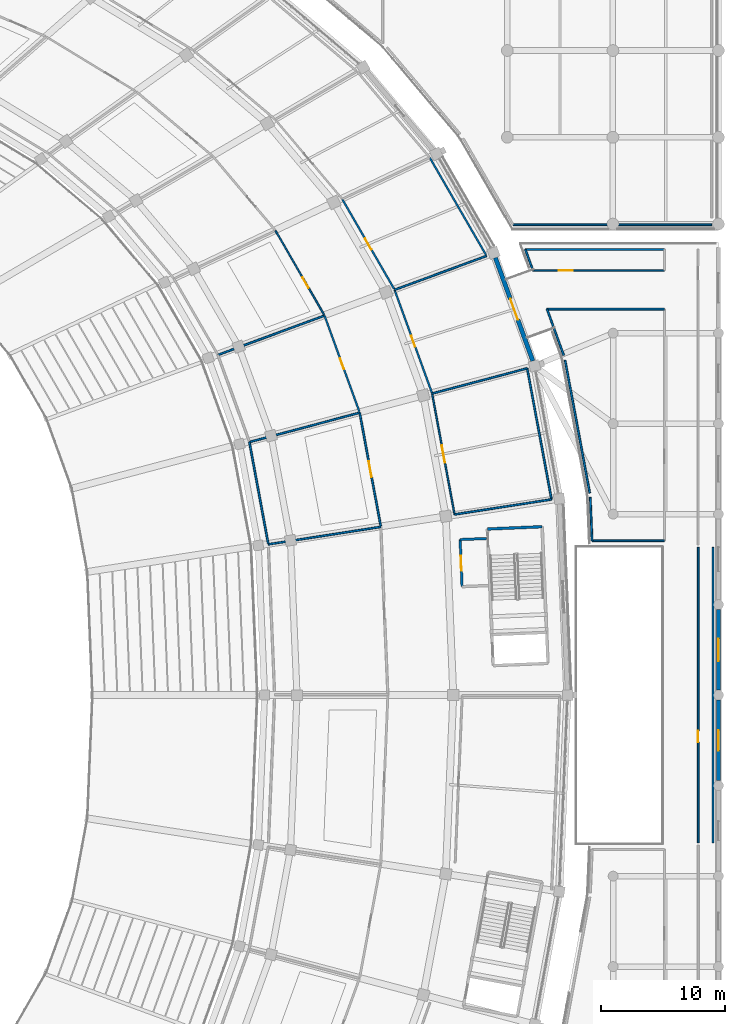
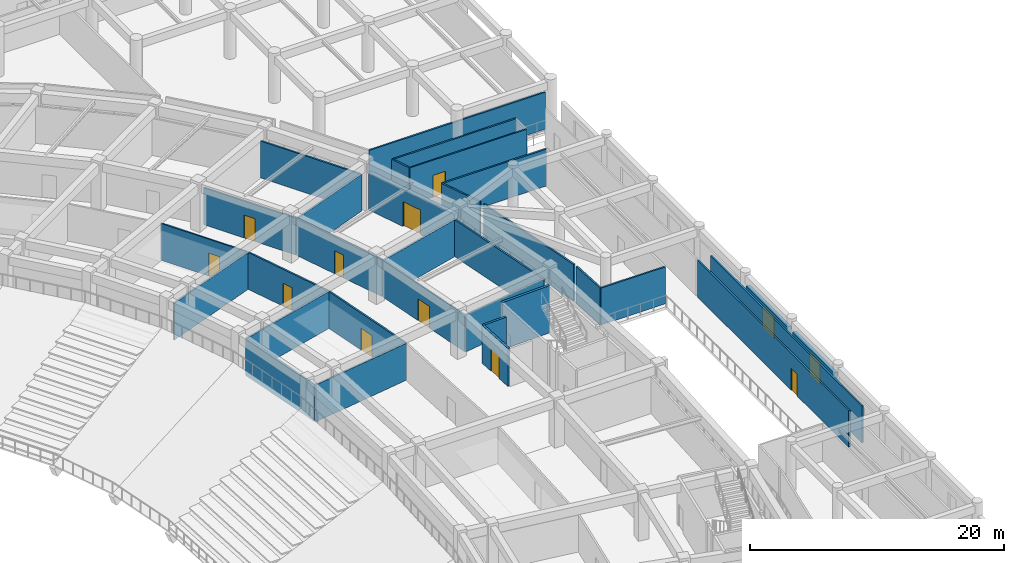
# One storey, part 107 of 152: 32 walls, 10 doors, 2 windows, 12 openings.
"""IFC4 building model written with IfcOpenShell, lengths in metres."""

from ifc_helpers import new_model, si_unit, direction, frame, frame_2d, origin, place, context, subcontext, project, spatial, rectangle, extrude, material, layer, layer_set, type_object, element, fill, save


model = new_model("IFC4")

# Units and contexts
model_context = context("Model", 3, precision=1e-05, world=origin(), true_north=direction((0.0, 1.0)))
body_context = subcontext(model_context, "Body", "Model", "MODEL_VIEW")
ifc_project = project(units=[si_unit("LENGTHUNIT", "METRE"), si_unit("AREAUNIT", "SQUARE_METRE"), si_unit("VOLUMEUNIT", "CUBIC_METRE"), si_unit("PLANEANGLEUNIT", "RADIAN"), si_unit("MASSUNIT", "GRAM", prefix="KILO")], contexts=[model_context])

# Site, building, storey
site_placement = place(None, origin())
site = spatial("IfcSite", under=ifc_project, at=site_placement, CompositionType="ELEMENT")
building_placement = place(site_placement, origin())
building = spatial("IfcBuilding", under=site, at=building_placement, Name="Mphavela Belvedere Stadium", CompositionType="ELEMENT")
storey_placement = place(building_placement, frame((0.0, 0.0, 5.39990234375)))
storey = spatial("IfcBuildingStorey", under=building, at=storey_placement, Name="L01", CompositionType="ELEMENT", Elevation=5.39990234375)

# Wall
ifc_material_1 = material(Name="Concrete C40/50", Category="concrete")
ifc_layer_1 = layer(ifc_material_1, 0.219970703125)
ifc_layer_set_1 = layer_set([ifc_layer_1], Name="Concrete C40/50")
wall_type_1 = type_object("IfcWallType", Name="WAL-CORE-SHEAR-220", PredefinedType="SHEAR", material=ifc_layer_set_1)
wall_1_placement = place(storey_placement, frame((211.365478515625, 100.400390625, 0.0), z_axis=(0.0, 0.0, 1.0), x_axis=(0.999121521721, 0.041906859039, 0.0)))
element("IfcWall", 1, at=wall_1_placement, inside=storey, type_object=wall_type_1, Name="Core C01 shear wall L01 left", PredefinedType="SHEAR", context=body_context, shape_type="SweptSolid", body=[
    extrude(rectangle(XDim=4.41015625, YDim=0.219970703125, at=frame_2d((2.205078125, 0.0))), origin(), (0.0, 0.0, 1.0), 4.550048828125),
])

# Wall, opening, door
ifc_material_2 = material(Name="Honed ashlar limestone masonry", Category="masonry")
ifc_layer_2 = layer(ifc_material_2, 0.35009765625)
ifc_layer_set_2 = layer_set([ifc_layer_2], Name="Honed ashlar limestone masonry")
wall_type_2 = type_object("IfcWallType", Name="WAL-EXT-ASHLAR-350", PredefinedType="STANDARD", material=ifc_layer_set_2)
wall_2_placement = place(storey_placement, frame((212.00048828125, 122.28466796875, 0.0), z_axis=(0.0, 0.0, 1.0), x_axis=(0.341014666885, -0.940057975324, 0.0)))
wall_2 = element("IfcWall", 2, at=wall_2_placement, inside=storey, type_object=wall_type_2, Name="Classical link portal wall L01-03", PredefinedType="STANDARD", context=body_context, shape_type="SweptSolid", body=[
    extrude(rectangle(XDim=8.855224609375, YDim=0.35009765625, at=frame_2d((4.427734375, 0.0))), origin(), (0.0, 0.0, 1.0), 3.570068359375),
])
opening_1_placement = place(wall_2_placement, frame((3.527587890625, 0.0, 0.0)))
opening_1 = element("IfcOpeningElement", 3, at=opening_1_placement, cuts=wall_2, Name="Opening ID-9102", PredefinedType="OPENING", context=body_context, shape_type="SweptSolid", body=[
    extrude(rectangle(XDim=1.800048828125, YDim=2.39990234375, at=frame_2d((0.89990234375, 1.199951171875))), frame((0.0, 0.18505859375, 0.0), z_axis=(0.0, -1.0, 0.0), x_axis=(1.0, 0.0, 0.0)), (0.0, 0.0, 1.0), 0.3701171875),
])
ifc_material_3 = material(Name="Glazed bronze-anodised steel exit doorset", Category="steel")
door_type_1 = type_object("IfcDoorType", Name="DR-EXT-01", OperationType="NOTDEFINED", PredefinedType="DOOR", material=ifc_material_3)
door_1_placement = place(opening_1_placement, origin())
door_1 = element("IfcDoor", 4, at=door_1_placement, inside=storey, type_object=door_type_1, Name="Wing promenade link doorset L01-03", OperationType="DOUBLE_DOOR_SINGLE_SWING", OverallHeight=2.39990234375, OverallWidth=1.800048828125, PredefinedType="DOOR", context=body_context, shape_type="SweptSolid", body=[
    extrude(rectangle(XDim=1.800048828125, YDim=2.39990234375, at=frame_2d((0.89990234375, 1.199951171875))), frame((0.0, 0.02490234375, 0.0), z_axis=(0.0, -1.0, 0.0), x_axis=(1.0, 0.0, 0.0)), (0.0, 0.0, 1.0), 0.050048828125),
])
fill(opening_1, door_1)

# Wall, opening, window
wall_3_placement = place(storey_placement, frame((230.0, 86.60205078125, 0.0), z_axis=(0.0, 0.0, 1.0), x_axis=(0.0, -1.0, 0.0)))
wall_3 = element("IfcWall", 5, at=wall_3_placement, inside=storey, type_object=wall_type_2, Name="East Planted Eaves Peristyle Colonnade outer facade bay L01-05", PredefinedType="STANDARD", context=body_context, shape_type="SweptSolid", body=[
    extrude(rectangle(XDim=6.504150390625, YDim=0.35009765625, at=frame_2d((3.251953125, 0.0))), origin(), (0.0, 0.0, 1.0), 3.56005859375),
])
opening_2_placement = place(wall_3_placement, frame((2.422119140625, 0.0, 0.89990234375)))
opening_2 = element("IfcOpeningElement", 6, at=opening_2_placement, cuts=wall_3, Name="Opening W-302", PredefinedType="OPENING", context=body_context, shape_type="SweptSolid", body=[
    extrude(rectangle(XDim=1.659912109375, YDim=2.14990234375, at=frame_2d((0.830078125, 1.074951171875))), frame((0.0, 0.18505859375, 0.0), z_axis=(0.0, -1.0, 0.0), x_axis=(1.0, 0.0, 0.0)), (0.0, 0.0, 1.0), 0.3701171875),
])
ifc_material_4 = material(Name="Bronze-anodised thermally broken aluminium window", Category="aluminium")
window_type_1 = type_object("IfcWindowType", Name="WIN-EXT-38", PartitioningType="SINGLE_PANEL", PredefinedType="WINDOW", material=ifc_material_4)
window_1_placement = place(opening_2_placement, origin())
window_1 = element("IfcWindow", 7, at=window_1_placement, inside=storey, type_object=window_type_1, Name="East Planted Eaves Peristyle Colonnade classical window W-302", OverallHeight=2.14990234375, OverallWidth=1.659912109375, PartitioningType="SINGLE_PANEL", PredefinedType="WINDOW", context=body_context, shape_type="SweptSolid", body=[
    extrude(rectangle(XDim=1.659912109375, YDim=2.14990234375, at=frame_2d((0.830078125, 1.074951171875))), frame((0.0, 0.030029296875, 0.0), z_axis=(0.0, -1.0, 0.0), x_axis=(1.0, 0.0, 0.0)), (0.0, 0.0, 1.0), 0.06005859375),
])
fill(opening_2, window_1)

wall_4_placement = place(storey_placement, frame((230.0, 93.902099609375, 0.0), z_axis=(0.0, 0.0, 1.0), x_axis=(0.0, -1.0, 0.0)))
wall_4 = element("IfcWall", 8, at=wall_4_placement, inside=storey, type_object=wall_type_2, Name="East Planted Eaves Peristyle Colonnade outer facade bay L01-06", PredefinedType="STANDARD", context=body_context, shape_type="SweptSolid", body=[
    extrude(rectangle(XDim=6.504150390625, YDim=0.35009765625, at=frame_2d((3.251953125, 0.0))), origin(), (0.0, 0.0, 1.0), 3.56005859375),
])
opening_3_placement = place(wall_4_placement, frame((2.35205078125, 0.0, 0.89990234375)))
opening_3 = element("IfcOpeningElement", 9, at=opening_3_placement, cuts=wall_4, Name="Opening W-303", PredefinedType="OPENING", context=body_context, shape_type="SweptSolid", body=[
    extrude(rectangle(XDim=1.800048828125, YDim=2.14990234375, at=frame_2d((0.89990234375, 1.074951171875))), frame((0.0, 0.18505859375, 0.0), z_axis=(0.0, -1.0, 0.0), x_axis=(1.0, 0.0, 0.0)), (0.0, 0.0, 1.0), 0.3701171875),
])
ifc_material_5 = material(Name="Bronze-anodised thermally broken aluminium window", Category="aluminium")
window_type_2 = type_object("IfcWindowType", Name="WIN-EXT-39", PartitioningType="SINGLE_PANEL", PredefinedType="WINDOW", material=ifc_material_5)
window_2_placement = place(opening_3_placement, origin())
window_2 = element("IfcWindow", 10, at=window_2_placement, inside=storey, type_object=window_type_2, Name="East Planted Eaves Peristyle Colonnade classical window W-303", OverallHeight=2.14990234375, OverallWidth=1.800048828125, PartitioningType="SINGLE_PANEL", PredefinedType="WINDOW", context=body_context, shape_type="SweptSolid", body=[
    extrude(rectangle(XDim=1.800048828125, YDim=2.14990234375, at=frame_2d((0.89990234375, 1.074951171875))), frame((0.0, 0.030029296875, 0.0), z_axis=(0.0, -1.0, 0.0), x_axis=(1.0, 0.0, 0.0)), (0.0, 0.0, 1.0), 0.06005859375),
])
fill(opening_3, window_2)

# Wall, opening, door
ifc_material_6 = material(Name="Moisture-resistant sanitary partition assembly")
ifc_layer_3 = layer(ifc_material_6, 0.125)
ifc_layer_set_3 = layer_set([ifc_layer_3], Name="Moisture-resistant sanitary partition assembly")
wall_type_3 = type_object("IfcWallType", Name="WAL-PART-125", PredefinedType="PARTITIONING", material=ifc_layer_set_3)
wall_5_placement = place(storey_placement, frame((208.706787109375, 101.5751953125, 0.0), z_axis=(0.0, 0.0, 1.0), x_axis=(-0.182618024057, 0.983183938686, 0.0)))
wall_5 = element("IfcWall", 11, at=wall_5_placement, inside=storey, type_object=wall_type_3, Name="Room L01-37 corridor partition", PredefinedType="PARTITIONING", context=body_context, shape_type="SweptSolid", body=[
    extrude(rectangle(XDim=9.919677734375, YDim=0.125, at=frame_2d((4.9599609375, 0.0))), origin(), (0.0, 0.0, 1.0), 3.550048828125),
])
opening_4_placement = place(wall_5_placement, frame((4.260009765625, 0.0, 0.0)))
opening_4 = element("IfcOpeningElement", 12, at=opening_4_placement, cuts=wall_5, Name="Opening ID-084", PredefinedType="OPENING", context=body_context, shape_type="SweptSolid", body=[
    extrude(rectangle(XDim=1.39990234375, YDim=2.10009765625, at=frame_2d((0.699951171875, 1.050048828125))), frame((0.0, 0.072509765625, 0.0), z_axis=(0.0, -1.0, 0.0), x_axis=(1.0, 0.0, 0.0)), (0.0, 0.0, 1.0), 0.14501953125),
])
ifc_material_7 = material(Name="Hardwood acoustic timber doorset", Category="wood")
door_type_2 = type_object("IfcDoorType", Name="DR-INT-12", OperationType="NOTDEFINED", PredefinedType="DOOR", material=ifc_material_7)
door_2_placement = place(opening_4_placement, origin())
door_2 = element("IfcDoor", 13, at=door_2_placement, inside=storey, type_object=door_type_2, Name="Room L01-37 entrance door ID-084", OperationType="SINGLE_SWING_RIGHT", OverallHeight=2.10009765625, OverallWidth=1.39990234375, PredefinedType="DOOR", context=body_context, shape_type="SweptSolid", body=[
    extrude(rectangle(XDim=1.39990234375, YDim=2.10009765625, at=frame_2d((0.699951171875, 1.050048828125))), frame((0.0, 0.02490234375, 0.0), z_axis=(0.0, -1.0, 0.0), x_axis=(1.0, 0.0, 0.0)), (0.0, 0.0, 1.0), 0.050048828125),
])
fill(opening_4, door_2)

wall_6_placement = place(storey_placement, frame((194.260009765625, 124.47216796875, 0.0), z_axis=(0.0, 0.0, 1.0), x_axis=(0.500584301803, -0.865687794063, 0.0)))
wall_6 = element("IfcWall", 14, at=wall_6_placement, inside=storey, type_object=wall_type_3, Name="Room L01-42 corridor partition", PredefinedType="PARTITIONING", context=body_context, shape_type="SweptSolid", body=[
    extrude(rectangle(XDim=7.8369140625, YDim=0.125, at=frame_2d((3.91845703125, 0.0))), origin(), (0.0, 0.0, 1.0), 3.550048828125),
])
opening_5_placement = place(wall_6_placement, frame((4.361083984375, 0.0, 0.0)))
opening_5 = element("IfcOpeningElement", 15, at=opening_5_placement, cuts=wall_6, Name="Opening ID-087", PredefinedType="OPENING", context=body_context, shape_type="SweptSolid", body=[
    extrude(rectangle(XDim=0.97998046875, YDim=2.199951171875, at=frame_2d((0.489990234375, 1.10009765625))), frame((0.0, 0.072509765625, 0.0), z_axis=(0.0, -1.0, 0.0), x_axis=(1.0, 0.0, 0.0)), (0.0, 0.0, 1.0), 0.14501953125),
])
ifc_material_8 = material(Name="Hardwood acoustic timber doorset", Category="wood")
door_type_3 = type_object("IfcDoorType", Name="DR-INT-15", OperationType="NOTDEFINED", PredefinedType="DOOR", material=ifc_material_8)
door_3_placement = place(opening_5_placement, origin())
door_3 = element("IfcDoor", 16, at=door_3_placement, inside=storey, type_object=door_type_3, Name="Room L01-42 entrance door ID-087", OperationType="SINGLE_SWING_LEFT", OverallHeight=2.199951171875, OverallWidth=0.97998046875, PredefinedType="DOOR", context=body_context, shape_type="SweptSolid", body=[
    extrude(rectangle(XDim=0.97998046875, YDim=2.199951171875, at=frame_2d((0.489990234375, 1.10009765625))), frame((0.0, 0.02490234375, 0.0), z_axis=(0.0, -1.0, 0.0), x_axis=(1.0, 0.0, 0.0)), (0.0, 0.0, 1.0), 0.050048828125),
])
fill(opening_5, door_3)

wall_7_placement = place(storey_placement, frame((225.639892578125, 121.260009765625, 0.0), z_axis=(0.0, 0.0, 1.0), x_axis=(-1.0, 0.0, 0.0)))
wall_7 = element("IfcWall", 17, at=wall_7_placement, inside=storey, type_object=wall_type_3, Name="Room L01-204 corridor partition", PredefinedType="PARTITIONING", context=body_context, shape_type="SweptSolid", body=[
    extrude(rectangle(XDim=10.6083984375, YDim=0.125, at=frame_2d((5.30419921875, 0.0))), origin(), (0.0, 0.0, 1.0), 3.550048828125),
])
opening_6_placement = place(wall_7_placement, frame((7.414794921875, 0.0, 0.0)))
opening_6 = element("IfcOpeningElement", 18, at=opening_6_placement, cuts=wall_7, Name="Opening ID-546", PredefinedType="OPENING", context=body_context, shape_type="SweptSolid", body=[
    extrude(rectangle(XDim=1.10009765625, YDim=2.10009765625, at=frame_2d((0.550048828125, 1.050048828125))), frame((0.0, 0.072509765625, 0.0), z_axis=(0.0, -1.0, 0.0), x_axis=(1.0, 0.0, 0.0)), (0.0, 0.0, 1.0), 0.14501953125),
])
ifc_material_9 = material(Name="Hardwood acoustic timber doorset", Category="wood")
door_type_4 = type_object("IfcDoorType", Name="DR-INT-06", OperationType="NOTDEFINED", PredefinedType="DOOR", material=ifc_material_9)
door_4_placement = place(opening_6_placement, origin())
door_4 = element("IfcDoor", 19, at=door_4_placement, inside=storey, type_object=door_type_4, Name="Room L01-204 entrance door ID-546", OperationType="SINGLE_SWING_RIGHT", OverallHeight=2.10009765625, OverallWidth=1.10009765625, PredefinedType="DOOR", context=body_context, shape_type="SweptSolid", body=[
    extrude(rectangle(XDim=1.10009765625, YDim=2.10009765625, at=frame_2d((0.550048828125, 1.050048828125))), frame((0.0, 0.02490234375, 0.0), z_axis=(0.0, -1.0, 0.0), x_axis=(1.0, 0.0, 0.0)), (0.0, 0.0, 1.0), 0.050048828125),
])
fill(opening_6, door_4)

ifc_material_10 = material(Name="Acoustic gypsum stud partition assembly")
ifc_layer_4 = layer(ifc_material_10, 0.14990234375)
ifc_layer_set_4 = layer_set([ifc_layer_4], Name="Acoustic gypsum stud partition assembly")
wall_type_4 = type_object("IfcWallType", Name="WAL-PART-150", PredefinedType="PARTITIONING", material=ifc_layer_set_4)
wall_8_placement = place(storey_placement, frame((201.053466796875, 109.779052734375, 0.0), z_axis=(0.0, 0.0, 1.0), x_axis=(0.182600545941, -0.983187184936, 0.0)))
wall_8 = element("IfcWall", 20, at=wall_8_placement, inside=storey, type_object=wall_type_4, Name="Room L01-36 corridor partition", PredefinedType="PARTITIONING", context=body_context, shape_type="SweptSolid", body=[
    extrude(rectangle(XDim=9.2841796875, YDim=0.14990234375, at=frame_2d((4.64208984375, 0.0))), origin(), (0.0, 0.0, 1.0), 3.550048828125),
])
opening_7_placement = place(wall_8_placement, frame((3.982177734375, 0.0, 0.0)))
opening_7 = element("IfcOpeningElement", 21, at=opening_7_placement, cuts=wall_8, Name="Opening ID-083", PredefinedType="OPENING", context=body_context, shape_type="SweptSolid", body=[
    extrude(rectangle(XDim=1.320068359375, YDim=2.10009765625, at=frame_2d((0.66015625, 1.050048828125))), frame((0.0, 0.0849609375, 0.0), z_axis=(0.0, -1.0, 0.0), x_axis=(1.0, 0.0, 0.0)), (0.0, 0.0, 1.0), 0.169921875),
])
ifc_material_11 = material(Name="Hardwood acoustic timber doorset", Category="wood")
door_type_5 = type_object("IfcDoorType", Name="DR-INT-11", OperationType="NOTDEFINED", PredefinedType="DOOR", material=ifc_material_11)
door_5_placement = place(opening_7_placement, origin())
door_5 = element("IfcDoor", 22, at=door_5_placement, inside=storey, type_object=door_type_5, Name="Room L01-36 entrance door ID-083", OperationType="SINGLE_SWING_LEFT", OverallHeight=2.10009765625, OverallWidth=1.320068359375, PredefinedType="DOOR", context=body_context, shape_type="SweptSolid", body=[
    extrude(rectangle(XDim=1.320068359375, YDim=2.10009765625, at=frame_2d((0.66015625, 1.050048828125))), frame((0.0, 0.02490234375, 0.0), z_axis=(0.0, -1.0, 0.0), x_axis=(1.0, 0.0, 0.0)), (0.0, 0.0, 1.0), 0.050048828125),
])
fill(opening_7, door_5)

wall_9_placement = place(storey_placement, frame((198.217529296875, 117.615234375, 0.0), z_axis=(0.0, 0.0, 1.0), x_axis=(0.341044733968, -0.940047067669, 0.0)))
wall_9 = element("IfcWall", 23, at=wall_9_placement, inside=storey, type_object=wall_type_4, Name="Room L01-39 corridor partition", PredefinedType="PARTITIONING", context=body_context, shape_type="SweptSolid", body=[
    extrude(rectangle(XDim=8.25390625, YDim=0.14990234375, at=frame_2d((4.126953125, 0.0))), origin(), (0.0, 0.0, 1.0), 3.550048828125),
])
opening_8_placement = place(wall_9_placement, frame((3.677001953125, 0.0, 0.0)))
opening_8 = element("IfcOpeningElement", 24, at=opening_8_placement, cuts=wall_9, Name="Opening ID-085", PredefinedType="OPENING", context=body_context, shape_type="SweptSolid", body=[
    extrude(rectangle(XDim=0.89990234375, YDim=2.199951171875, at=frame_2d((0.449951171875, 1.10009765625))), frame((0.0, 0.0849609375, 0.0), z_axis=(0.0, -1.0, 0.0), x_axis=(1.0, 0.0, 0.0)), (0.0, 0.0, 1.0), 0.169921875),
])
ifc_material_12 = material(Name="Hardwood acoustic timber doorset", Category="wood")
door_type_6 = type_object("IfcDoorType", Name="DR-INT-13", OperationType="NOTDEFINED", PredefinedType="DOOR", material=ifc_material_12)
door_6_placement = place(opening_8_placement, origin())
door_6 = element("IfcDoor", 25, at=door_6_placement, inside=storey, type_object=door_type_6, Name="Room L01-39 entrance door ID-085", OperationType="SINGLE_SWING_LEFT", OverallHeight=2.199951171875, OverallWidth=0.89990234375, PredefinedType="DOOR", context=body_context, shape_type="SweptSolid", body=[
    extrude(rectangle(XDim=0.89990234375, YDim=2.199951171875, at=frame_2d((0.449951171875, 1.10009765625))), frame((0.0, 0.02490234375, 0.0), z_axis=(0.0, -1.0, 0.0), x_axis=(1.0, 0.0, 0.0)), (0.0, 0.0, 1.0), 0.050048828125),
])
fill(opening_8, door_6)

wall_10_placement = place(storey_placement, frame((206.874267578125, 111.4052734375, 0.0), z_axis=(0.0, 0.0, 1.0), x_axis=(-0.341031741571, 0.940051781149, 0.0)))
wall_10 = element("IfcWall", 26, at=wall_10_placement, inside=storey, type_object=wall_type_4, Name="Room L01-40 corridor partition", PredefinedType="PARTITIONING", context=body_context, shape_type="SweptSolid", body=[
    extrude(rectangle(XDim=8.81982421875, YDim=0.14990234375, at=frame_2d((4.409912109375, 0.0))), origin(), (0.0, 0.0, 1.0), 3.550048828125),
])
opening_9_placement = place(wall_10_placement, frame((3.939697265625, 0.0, 0.0)))
opening_9 = element("IfcOpeningElement", 27, at=opening_9_placement, cuts=wall_10, Name="Opening ID-086", PredefinedType="OPENING", context=body_context, shape_type="SweptSolid", body=[
    extrude(rectangle(XDim=0.93994140625, YDim=2.199951171875, at=frame_2d((0.469970703125, 1.10009765625))), frame((0.0, 0.0849609375, 0.0), z_axis=(0.0, -1.0, 0.0), x_axis=(1.0, 0.0, 0.0)), (0.0, 0.0, 1.0), 0.169921875),
])
ifc_material_13 = material(Name="Hardwood acoustic timber doorset", Category="wood")
door_type_7 = type_object("IfcDoorType", Name="DR-INT-14", OperationType="NOTDEFINED", PredefinedType="DOOR", material=ifc_material_13)
door_7_placement = place(opening_9_placement, origin())
door_7 = element("IfcDoor", 28, at=door_7_placement, inside=storey, type_object=door_type_7, Name="Room L01-40 entrance door ID-086", OperationType="SINGLE_SWING_RIGHT", OverallHeight=2.199951171875, OverallWidth=0.93994140625, PredefinedType="DOOR", context=body_context, shape_type="SweptSolid", body=[
    extrude(rectangle(XDim=0.93994140625, YDim=2.199951171875, at=frame_2d((0.469970703125, 1.10009765625))), frame((0.0, 0.02490234375, 0.0), z_axis=(0.0, -1.0, 0.0), x_axis=(1.0, 0.0, 0.0)), (0.0, 0.0, 1.0), 0.050048828125),
])
fill(opening_9, door_7)

wall_11_placement = place(storey_placement, frame((203.8330078125, 119.769287109375, 0.0), z_axis=(0.0, 0.0, 1.0), x_axis=(-0.500559280672, 0.865702262059, 0.0)))
wall_11 = element("IfcWall", 29, at=wall_11_placement, inside=storey, type_object=wall_type_4, Name="Room L01-43 corridor partition", PredefinedType="PARTITIONING", context=body_context, shape_type="SweptSolid", body=[
    extrude(rectangle(XDim=8.37451171875, YDim=0.14990234375, at=frame_2d((4.187255859375, 0.0))), origin(), (0.0, 0.0, 1.0), 3.550048828125),
])
opening_10_placement = place(wall_11_placement, frame((3.67724609375, 0.0, 0.0)))
opening_10 = element("IfcOpeningElement", 30, at=opening_10_placement, cuts=wall_11, Name="Opening ID-088", PredefinedType="OPENING", context=body_context, shape_type="SweptSolid", body=[
    extrude(rectangle(XDim=1.02001953125, YDim=2.199951171875, at=frame_2d((0.510009765625, 1.10009765625))), frame((0.0, 0.0849609375, 0.0), z_axis=(0.0, -1.0, 0.0), x_axis=(1.0, 0.0, 0.0)), (0.0, 0.0, 1.0), 0.169921875),
])
ifc_material_14 = material(Name="Hardwood acoustic timber doorset", Category="wood")
door_type_8 = type_object("IfcDoorType", Name="DR-INT-16", OperationType="NOTDEFINED", PredefinedType="DOOR", material=ifc_material_14)
door_8_placement = place(opening_10_placement, origin())
door_8 = element("IfcDoor", 31, at=door_8_placement, inside=storey, type_object=door_type_8, Name="Room L01-43 entrance door ID-088", OperationType="SINGLE_SWING_RIGHT", OverallHeight=2.199951171875, OverallWidth=1.02001953125, PredefinedType="DOOR", context=body_context, shape_type="SweptSolid", body=[
    extrude(rectangle(XDim=1.02001953125, YDim=2.199951171875, at=frame_2d((0.510009765625, 1.10009765625))), frame((0.0, 0.02490234375, 0.0), z_axis=(0.0, -1.0, 0.0), x_axis=(1.0, 0.0, 0.0)), (0.0, 0.0, 1.0), 0.050048828125),
])
fill(opening_10, door_8)

wall_12_placement = place(storey_placement, frame((228.360107421875, 75.083251953125, 0.0), z_axis=(0.0, 0.0, 1.0), x_axis=(0.0, 1.0, 0.0)))
wall_12 = element("IfcWall", 32, at=wall_12_placement, inside=storey, type_object=wall_type_4, Name="Room L01-200 corridor partition", PredefinedType="PARTITIONING", context=body_context, shape_type="SweptSolid", body=[
    extrude(rectangle(XDim=23.83349609375, YDim=0.14990234375, at=frame_2d((11.916748046875, 0.0))), origin(), (0.0, 0.0, 1.0), 3.550048828125),
])
opening_11_placement = place(wall_12_placement, frame((8.108642578125, 0.0, 0.0)))
opening_11 = element("IfcOpeningElement", 33, at=opening_11_placement, cuts=wall_12, Name="Opening ID-542", PredefinedType="OPENING", context=body_context, shape_type="SweptSolid", body=[
    extrude(rectangle(XDim=0.93994140625, YDim=2.10009765625, at=frame_2d((0.469970703125, 1.050048828125))), frame((0.0, 0.0849609375, 0.0), z_axis=(0.0, -1.0, 0.0), x_axis=(1.0, 0.0, 0.0)), (0.0, 0.0, 1.0), 0.169921875),
])
ifc_material_15 = material(Name="Hardwood acoustic timber doorset", Category="wood")
door_type_9 = type_object("IfcDoorType", Name="DR-INT-02", OperationType="NOTDEFINED", PredefinedType="DOOR", material=ifc_material_15)
door_9_placement = place(opening_11_placement, origin())
door_9 = element("IfcDoor", 34, at=door_9_placement, inside=storey, type_object=door_type_9, Name="Room L01-200 entrance door ID-542", OperationType="SINGLE_SWING_RIGHT", OverallHeight=2.10009765625, OverallWidth=0.93994140625, PredefinedType="DOOR", context=body_context, shape_type="SweptSolid", body=[
    extrude(rectangle(XDim=0.93994140625, YDim=2.10009765625, at=frame_2d((0.469970703125, 1.050048828125))), frame((0.0, 0.02490234375, 0.0), z_axis=(0.0, -1.0, 0.0), x_axis=(1.0, 0.0, 0.0)), (0.0, 0.0, 1.0), 0.050048828125),
])
fill(opening_11, door_9)

# Walls
wall_13_placement = place(storey_placement, frame((193.681884765625, 99.163818359375, 0.0), z_axis=(0.0, 0.0, 1.0), x_axis=(0.988188135357, 0.153245584407, 0.0)))
element("IfcWall", 35, at=wall_13_placement, inside=storey, type_object=wall_type_4, Name="Room divider partition L01-0139", PredefinedType="PARTITIONING", context=body_context, shape_type="SweptSolid", body=[
    extrude(rectangle(XDim=9.184326171875, YDim=0.14990234375, at=frame_2d((4.59228515625, 0.0))), origin(), (0.0, 0.0, 1.0), 3.550048828125),
])
wall_14_placement = place(storey_placement, frame((193.672607421875, 99.2431640625, 0.0), z_axis=(0.0, 0.0, 1.0), x_axis=(-0.182614898171, 0.983184519287, 0.0)))
element("IfcWall", 36, at=wall_14_placement, inside=storey, type_object=wall_type_4, Name="Room divider partition L01-0141", PredefinedType="PARTITIONING", context=body_context, shape_type="SweptSolid", body=[
    extrude(rectangle(XDim=8.315673828125, YDim=0.14990234375, at=frame_2d((4.15771484375, 0.0))), origin(), (0.0, 0.0, 1.0), 3.550048828125),
])
wall_15_placement = place(storey_placement, frame((192.154052734375, 107.4189453125, 0.0), z_axis=(0.0, 0.0, 1.0), x_axis=(0.96658744027, 0.256337122383, 0.0)))
element("IfcWall", 37, at=wall_15_placement, inside=storey, type_object=wall_type_4, Name="Room divider partition L01-0142", PredefinedType="PARTITIONING", context=body_context, shape_type="SweptSolid", body=[
    extrude(rectangle(XDim=9.20703125, YDim=0.14990234375, at=frame_2d((4.603515625, 0.0))), origin(), (0.0, 0.0, 1.0), 3.550048828125),
])
wall_16_placement = place(storey_placement, frame((206.895263671875, 111.328125, 0.0), z_axis=(0.0, 0.0, 1.0), x_axis=(0.966593450181, 0.25631445934, 0.0)))
element("IfcWall", 38, at=wall_16_placement, inside=storey, type_object=wall_type_4, Name="Room divider partition L01-0143", PredefinedType="PARTITIONING", context=body_context, shape_type="SweptSolid", body=[
    extrude(rectangle(XDim=7.936279296875, YDim=0.14990234375, at=frame_2d((3.96826171875, 0.0))), origin(), (0.0, 0.0, 1.0), 3.550048828125),
])
wall_17_placement = place(storey_placement, frame((214.56640625, 113.3623046875, 0.0), z_axis=(0.0, 0.0, 1.0), x_axis=(0.182607868301, -0.983185824976, 0.0)))
element("IfcWall", 39, at=wall_17_placement, inside=storey, type_object=wall_type_4, Name="Room divider partition L01-0144", PredefinedType="PARTITIONING", context=body_context, shape_type="SweptSolid", body=[
    extrude(rectangle(XDim=10.754638671875, YDim=0.14990234375, at=frame_2d((5.37744140625, 0.0))), origin(), (0.0, 0.0, 1.0), 3.550048828125),
])
wall_18_placement = place(storey_placement, frame((216.5302734375, 102.78857421875, 0.0), z_axis=(0.0, 0.0, 1.0), x_axis=(-0.988185582016, -0.153262048451, 0.0)))
element("IfcWall", 40, at=wall_18_placement, inside=storey, type_object=wall_type_4, Name="Room divider partition L01-0145", PredefinedType="PARTITIONING", context=body_context, shape_type="SweptSolid", body=[
    extrude(rectangle(XDim=7.9169921875, YDim=0.14990234375, at=frame_2d((3.95849609375, 0.0))), origin(), (0.0, 0.0, 1.0), 3.550048828125),
])
wall_19_placement = place(storey_placement, frame((189.612060546875, 114.44482421875, 0.0), z_axis=(0.0, 0.0, 1.0), x_axis=(0.93834402583, 0.345702891496, 0.0)))
element("IfcWall", 41, at=wall_19_placement, inside=storey, type_object=wall_type_4, Name="Room divider partition L01-0147", PredefinedType="PARTITIONING", context=body_context, shape_type="SweptSolid", body=[
    extrude(rectangle(XDim=9.1708984375, YDim=0.14990234375, at=frame_2d((4.58544921875, 0.0))), origin(), (0.0, 0.0, 1.0), 3.550048828125),
])
wall_20_placement = place(storey_placement, frame((203.866455078125, 119.6962890625, 0.0), z_axis=(0.0, 0.0, 1.0), x_axis=(0.938346807893, 0.345695340028, 0.0)))
element("IfcWall", 42, at=wall_20_placement, inside=storey, type_object=wall_type_4, Name="Room divider partition L01-0148", PredefinedType="PARTITIONING", context=body_context, shape_type="SweptSolid", body=[
    extrude(rectangle(XDim=7.90478515625, YDim=0.14990234375, at=frame_2d((3.952392578125, 0.0))), origin(), (0.0, 0.0, 1.0), 3.550048828125),
])
wall_21_placement = place(storey_placement, frame((206.7041015625, 130.3623046875, 0.0), z_axis=(0.0, 0.0, 1.0), x_axis=(0.500574107164, -0.865693689036, 0.0)))
element("IfcWall", 43, at=wall_21_placement, inside=storey, type_object=wall_type_4, Name="Room divider partition L01-0152", PredefinedType="PARTITIONING", context=body_context, shape_type="SweptSolid", body=[
    extrude(rectangle(XDim=9.080322265625, YDim=0.14990234375, at=frame_2d((4.5400390625, 0.0))), origin(), (0.0, 0.0, 1.0), 3.550048828125),
])
wall_22_placement = place(storey_placement, frame((229.449951171875, 124.949951171875, 0.0), z_axis=(0.0, 0.0, 1.0), x_axis=(-1.0, 0.0, 0.0)))
element("IfcWall", 44, at=wall_22_placement, inside=storey, type_object=wall_type_4, Name="Room divider partition L01-0970", PredefinedType="PARTITIONING", context=body_context, shape_type="SweptSolid", body=[
    extrude(rectangle(XDim=16.017333984375, YDim=0.14990234375, at=frame_2d((8.0087890625, 0.0))), origin(), (0.0, 0.0, 1.0), 3.550048828125),
])
wall_23_placement = place(storey_placement, frame((229.550048828125, 98.916748046875, 0.0), z_axis=(0.0, 0.0, 1.0), x_axis=(0.0, -1.0, 0.0)))
element("IfcWall", 45, at=wall_23_placement, inside=storey, type_object=wall_type_4, Name="Room divider partition L01-1237", PredefinedType="PARTITIONING", context=body_context, shape_type="SweptSolid", body=[
    extrude(rectangle(XDim=23.83349609375, YDim=0.14990234375, at=frame_2d((11.916748046875, 0.0))), origin(), (0.0, 0.0, 1.0), 3.550048828125),
])
wall_24_placement = place(storey_placement, frame((219.61328125, 103.301513671875, 0.0), z_axis=(0.0, 0.0, 1.0), x_axis=(-0.182620957058, 0.983183393901, 0.0)))
element("IfcWall", 46, at=wall_24_placement, inside=storey, type_object=wall_type_4, Name="Room divider partition L01-1243", PredefinedType="PARTITIONING", context=body_context, shape_type="SweptSolid", body=[
    extrude(rectangle(XDim=10.90087890625, YDim=0.14990234375, at=frame_2d((5.450439453125, 0.0))), origin(), (0.0, 0.0, 1.0), 3.550048828125),
])
wall_25_placement = place(storey_placement, frame((217.5146484375, 114.4150390625, 0.0), z_axis=(0.0, 0.0, 1.0), x_axis=(-0.341035525383, 0.94005040845, 0.0)))
element("IfcWall", 47, at=wall_25_placement, inside=storey, type_object=wall_type_4, Name="Room divider partition L01-1244", PredefinedType="PARTITIONING", context=body_context, shape_type="SweptSolid", body=[
    extrude(rectangle(XDim=3.96240234375, YDim=0.14990234375, at=frame_2d((1.981201171875, 0.0))), origin(), (0.0, 0.0, 1.0), 3.550048828125),
])
wall_26_placement = place(storey_placement, frame((216.163330078125, 118.139892578125, 0.0), z_axis=(0.0, 0.0, 1.0), x_axis=(1.0, 0.0, 0.0)))
element("IfcWall", 48, at=wall_26_placement, inside=storey, type_object=wall_type_4, Name="Room divider partition L01-1245", PredefinedType="PARTITIONING", context=body_context, shape_type="SweptSolid", body=[
    extrude(rectangle(XDim=9.4765625, YDim=0.14990234375, at=frame_2d((4.73828125, 0.0))), origin(), (0.0, 0.0, 1.0), 3.550048828125),
])
wall_27_placement = place(storey_placement, frame((225.639892578125, 99.449951171875, 0.0), z_axis=(0.0, 0.0, 1.0), x_axis=(-1.0, 0.0, 0.0)))
element("IfcWall", 49, at=wall_27_placement, inside=storey, type_object=wall_type_4, Name="Room divider partition L01-1246", PredefinedType="PARTITIONING", context=body_context, shape_type="SweptSolid", body=[
    extrude(rectangle(XDim=5.83984375, YDim=0.14990234375, at=frame_2d((2.919921875, 0.0))), origin(), (0.0, 0.0, 1.0), 3.550048828125),
])
wall_28_placement = place(storey_placement, frame((219.800048828125, 99.449951171875, 0.0), z_axis=(0.0, 0.0, 1.0), x_axis=(-0.041888559174, 0.999122289117, 0.0)))
element("IfcWall", 50, at=wall_28_placement, inside=storey, type_object=wall_type_4, Name="Room divider partition L01-1247", PredefinedType="PARTITIONING", context=body_context, shape_type="SweptSolid", body=[
    extrude(rectangle(XDim=3.5029296875, YDim=0.14990234375, at=frame_2d((1.75146484375, 0.0))), origin(), (0.0, 0.0, 1.0), 3.550048828125),
])
wall_29_placement = place(storey_placement, frame((215.031494140625, 121.260009765625, 0.0), z_axis=(0.0, 0.0, 1.0), x_axis=(-0.341012375502, 0.940058806541, 0.0)))
element("IfcWall", 51, at=wall_29_placement, inside=storey, type_object=wall_type_4, Name="Room divider partition L01-1248", PredefinedType="PARTITIONING", context=body_context, shape_type="SweptSolid", body=[
    extrude(rectangle(XDim=1.797607421875, YDim=0.14990234375, at=frame_2d((0.89892578125, 0.0))), origin(), (0.0, 0.0, 1.0), 3.550048828125),
])
wall_30_placement = place(storey_placement, frame((214.41845703125, 122.949951171875, 0.0), z_axis=(0.0, 0.0, 1.0), x_axis=(1.0, 0.0, 0.0)))
element("IfcWall", 52, at=wall_30_placement, inside=storey, type_object=wall_type_4, Name="Room divider partition L01-1249", PredefinedType="PARTITIONING", context=body_context, shape_type="SweptSolid", body=[
    extrude(rectangle(XDim=11.221435546875, YDim=0.14990234375, at=frame_2d((5.61083984375, 0.0))), origin(), (0.0, 0.0, 1.0), 3.550048828125),
])

# Wall, opening, door
ifc_material_16 = material(Name="Fire-rated calcium silicate partition assembly")
ifc_layer_5 = layer(ifc_material_16, 0.199951171875)
ifc_layer_set_5 = layer_set([ifc_layer_5], Name="Fire-rated calcium silicate partition assembly")
wall_type_5 = type_object("IfcWallType", Name="WAL-PART-FF-200", PredefinedType="PARTITIONING", material=ifc_layer_set_5)
wall_31_placement = place(storey_placement, frame((209.154296875, 99.547119140625, 0.0), z_axis=(0.0, 0.0, 1.0), x_axis=(0.041889762691, -0.999122238658, 0.0)))
wall_31 = element("IfcWall", 53, at=wall_31_placement, inside=storey, type_object=wall_type_5, Name="Firefighting lobby front wall C01 L01", PredefinedType="PARTITIONING", context=body_context, shape_type="SweptSolid", body=[
    extrude(rectangle(XDim=3.800048828125, YDim=0.199951171875, at=frame_2d((1.89990234375, 0.0))), origin(), (0.0, 0.0, 1.0), 3.650146484375),
])
opening_12_placement = place(wall_31_placement, frame((1.300048828125, 0.0, 0.0)))
opening_12 = element("IfcOpeningElement", 54, at=opening_12_placement, cuts=wall_31, Name="Opening FD-002", PredefinedType="OPENING", context=body_context, shape_type="SweptSolid", body=[
    extrude(rectangle(XDim=1.199951171875, YDim=2.179931640625, at=frame_2d((0.60009765625, 1.08984375))), frame((0.0, 0.10986328125, 0.0), z_axis=(0.0, -1.0, 0.0), x_axis=(1.0, 0.0, 0.0)), (0.0, 0.0, 1.0), 0.219970703125),
])
ifc_material_17 = material(Name="Steel smoke-sealed firefighting lobby doorset", Category="steel")
door_type_10 = type_object("IfcDoorType", Name="DR-FF-LOBBY-1200", OperationType="NOTDEFINED", PredefinedType="DOOR", material=ifc_material_17)
door_10_placement = place(opening_12_placement, origin())
door_10 = element("IfcDoor", 55, at=door_10_placement, inside=storey, type_object=door_type_10, Name="Firefighting lobby door C01 L01", OperationType="SINGLE_SWING_RIGHT", OverallHeight=2.179931640625, OverallWidth=1.199951171875, PredefinedType="DOOR", context=body_context, shape_type="SweptSolid", body=[
    extrude(rectangle(XDim=1.199951171875, YDim=2.179931640625, at=frame_2d((0.60009765625, 1.08984375))), frame((0.0, 0.02490234375, 0.0), z_axis=(0.0, -1.0, 0.0), x_axis=(1.0, 0.0, 0.0)), (0.0, 0.0, 1.0), 0.050048828125),
])
fill(opening_12, door_10)

# Wall
wall_32_placement = place(storey_placement, frame((209.154296875, 99.547119140625, 0.0), z_axis=(0.0, 0.0, 1.0), x_axis=(0.999121056799, 0.041917941987, 0.0)))
element("IfcWall", 56, at=wall_32_placement, inside=storey, type_object=wall_type_5, Name="Firefighting lobby side wall L C01 L01", PredefinedType="PARTITIONING", context=body_context, shape_type="SweptSolid", body=[
    extrude(rectangle(XDim=2.1201171875, YDim=0.199951171875, at=frame_2d((1.06005859375, 0.0))), origin(), (0.0, 0.0, 1.0), 3.650146484375),
])

save(model, "model.ifc")
